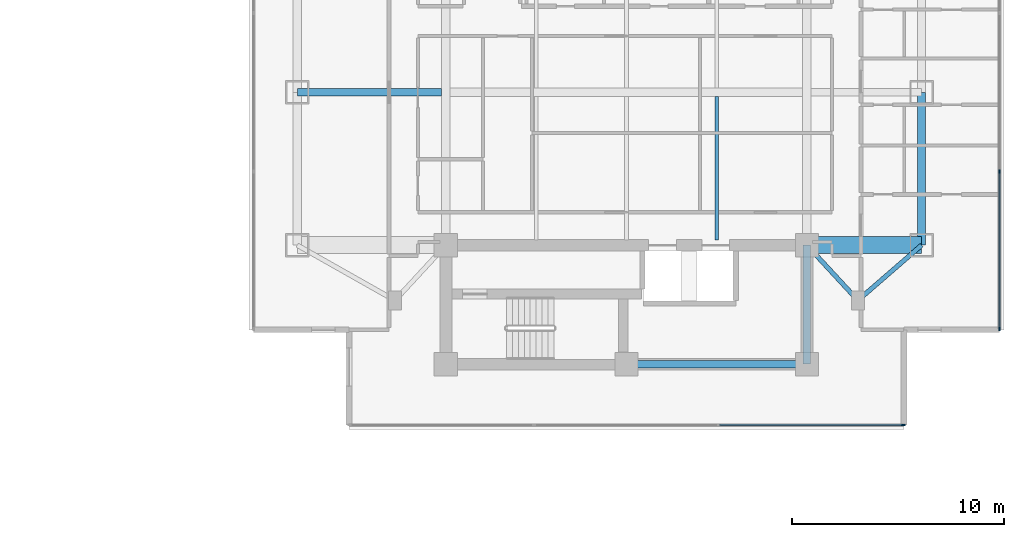
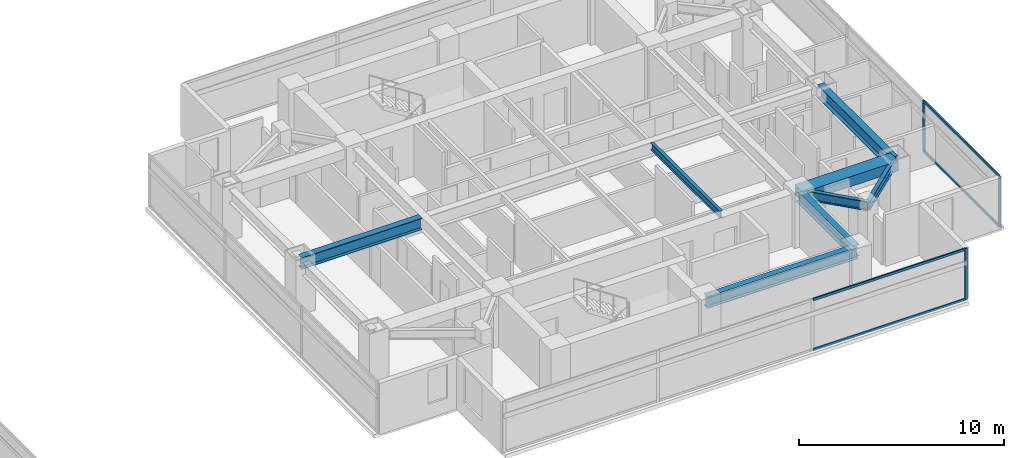
# One storey, part 10 of 26: 8 beams, 7 members, 2 elements without a shape of their own.
"""IFC4 building model written with IfcOpenShell, lengths in metres."""

from ifc_helpers import new_model, si_unit, direction, frame, origin, origin_2d, place, context, subcontext, project, spatial, rectangle, i_section, extrude, material, material_profile, profile_set, type_object, element, aggregate, save


model = new_model("IFC4")

# Units and contexts
model_context = context("Model", 3, precision=1e-05, world=origin(), true_north=direction((0.0, 1.0)))
body_context = subcontext(model_context, "Body", "Model", "MODEL_VIEW")
ifc_project = project(units=[si_unit("LENGTHUNIT", "METRE"), si_unit("AREAUNIT", "SQUARE_METRE"), si_unit("VOLUMEUNIT", "CUBIC_METRE"), si_unit("PLANEANGLEUNIT", "RADIAN"), si_unit("MASSUNIT", "GRAM", prefix="KILO")], contexts=[model_context])

# Site, building, storey
site_placement = place(None, origin())
site = spatial("IfcSite", under=ifc_project, at=site_placement, CompositionType="ELEMENT")
building_placement = place(site_placement, origin())
building = spatial("IfcBuilding", under=site, at=building_placement, Name="Mirazonda Arch Towers", CompositionType="ELEMENT")
storey_placement = place(building_placement, frame((0.0, 0.0, 128.0)))
storey = spatial("IfcBuildingStorey", under=building, at=storey_placement, Name="L36", CompositionType="ELEMENT", Elevation=128.0)

# Beams
ifc_material_1 = material(Name="Steel ASTM A992 Grade 50", Category="steel")
ifc_material_profile_1 = material_profile(ifc_material_1, i_section(OverallWidth=0.381103515625, OverallDepth=0.77294921875, WebThickness=0.0166015625, FlangeThickness=0.027099609375, at=origin_2d()), Name="W30X173")
ifc_profile_set_1 = profile_set([ifc_material_profile_1], Name="Steel ASTM A992 Grade 50")
beam_type_1 = type_object("IfcBeamType", Name="BM-EXT-W30X173", PredefinedType="USERDEFINED", material=ifc_profile_set_1)
beam_1_placement = place(storey_placement, frame((90.39990234375, 20.800048828125, 2.693603515625), z_axis=(0.0, 1.0, 0.0), x_axis=(-1.0, 0.0, 0.0)))
element("IfcBeam", 1, at=beam_1_placement, inside=storey, type_object=beam_type_1, Name="L36 Floor Beam BM-T2-L36-NS-E-20", ObjectType="GIRDER", PredefinedType="USERDEFINED", context=body_context, shape_type="SweptSolid", body=[
    extrude(i_section(OverallWidth=0.381103515625, OverallDepth=0.77294921875, WebThickness=0.0166015625, FlangeThickness=0.027099609375, at=origin_2d()), origin(), (0.0, 0.0, 1.0), 7.199951171875),
])
ifc_material_profile_2 = material_profile(ifc_material_1, i_section(OverallWidth=0.180908203125, OverallDepth=0.4169921875, WebThickness=0.010986328125, FlangeThickness=0.018310546875, at=origin_2d()), Name="W16X57")
ifc_profile_set_2 = profile_set([ifc_material_profile_2], Name="Steel ASTM A992 Grade 50")
beam_type_2 = type_object("IfcBeamType", Name="BM-INT-W16X57", PredefinedType="JOIST", material=ifc_profile_set_2)
beam_2_placement = place(storey_placement, frame((80.75, 21.0400390625, 2.87158203125), z_axis=(0.0, 1.0, 0.0), x_axis=(-1.0, 0.0, 0.0)))
element("IfcBeam", 2, at=beam_2_placement, inside=storey, type_object=beam_type_2, Name="L36 Floor Beam BM-T2-L36-J-807-20", PredefinedType="JOIST", context=body_context, shape_type="SweptSolid", body=[
    extrude(i_section(OverallWidth=0.180908203125, OverallDepth=0.4169921875, WebThickness=0.010986328125, FlangeThickness=0.018310546875, at=origin_2d()), origin(), (0.0, 0.0, 1.0), 6.763916015625),
])
ifc_material_profile_3 = material_profile(ifc_material_1, i_section(OverallWidth=0.214111328125, OverallDepth=0.549072265625, WebThickness=0.0146484375, FlangeThickness=0.023681640625, at=origin_2d()), Name="W21X93")
ifc_profile_set_3 = profile_set([ifc_material_profile_3], Name="Steel ASTM A992 Grade 50")
beam_type_3 = type_object("IfcBeamType", Name="BM-INT-W21X93", PredefinedType="BEAM", material=ifc_profile_set_3)
beam_3_placement = place(storey_placement, frame((87.39990234375, 18.199951171875, 2.805419921875), z_axis=(-0.678251444854, 0.734829897019, 0.0), x_axis=(-0.734829897019, -0.678251444854, 0.0)))
element("IfcBeam", 3, at=beam_3_placement, inside=storey, type_object=beam_type_3, Name="L36 Floor Beam BM-T2-L36-PL-SE1", PredefinedType="BEAM", context=body_context, shape_type="SweptSolid", body=[
    extrude(i_section(OverallWidth=0.214111328125, OverallDepth=0.549072265625, WebThickness=0.0146484375, FlangeThickness=0.023681640625, at=origin_2d()), origin(), (0.0, 0.0, 1.0), 3.538330078125),
])
beam_4_placement = place(storey_placement, frame((87.39990234375, 18.199951171875, 2.805419921875), z_axis=(0.755676908098, 0.654944585876, 0.0), x_axis=(-0.654944585876, 0.755676908098, 0.0)))
element("IfcBeam", 4, at=beam_4_placement, inside=storey, type_object=beam_type_3, Name="L36 Floor Beam BM-T2-L36-PL-SE2", PredefinedType="BEAM", context=body_context, shape_type="SweptSolid", body=[
    extrude(i_section(OverallWidth=0.214111328125, OverallDepth=0.549072265625, WebThickness=0.0146484375, FlangeThickness=0.023681640625, at=origin_2d()), origin(), (0.0, 0.0, 1.0), 3.969970703125),
])
ifc_material_profile_4 = material_profile(ifc_material_1, i_section(OverallWidth=0.35498046875, OverallDepth=0.696044921875, WebThickness=0.015380859375, FlangeThickness=0.02490234375, at=origin_2d()), Name="W27X146")
ifc_profile_set_4 = profile_set([ifc_material_profile_4], Name="Steel ASTM A992 Grade 50")
beam_type_4 = type_object("IfcBeamType", Name="BM-INT-W27X146", PredefinedType="BEAM", material=ifc_profile_set_4)
beam_5_placement = place(storey_placement, frame((76.5, 15.199951171875, 2.73193359375), z_axis=(1.0, 0.0, 0.0), x_axis=(0.0, 1.0, 0.0)))
element("IfcBeam", 5, at=beam_5_placement, inside=storey, type_object=beam_type_4, Name="L36 Floor Beam BM-T2-L36-CS2", PredefinedType="BEAM", context=body_context, shape_type="SweptSolid", body=[
    extrude(i_section(OverallWidth=0.35498046875, OverallDepth=0.696044921875, WebThickness=0.015380859375, FlangeThickness=0.02490234375, at=origin_2d()), origin(), (0.0, 0.0, 1.0), 8.5),
])
beam_6_placement = place(storey_placement, frame((85.0, 15.199951171875, 2.73193359375), z_axis=(0.0, 1.0, 0.0), x_axis=(-1.0, 0.0, 0.0)))
element("IfcBeam", 6, at=beam_6_placement, inside=storey, type_object=beam_type_4, Name="L36 Floor Beam BM-T2-L36-CSE", PredefinedType="BEAM", context=body_context, shape_type="SweptSolid", body=[
    extrude(i_section(OverallWidth=0.35498046875, OverallDepth=0.696044921875, WebThickness=0.015380859375, FlangeThickness=0.02490234375, at=origin_2d()), origin(), (0.0, 0.0, 1.0), 5.60009765625),
])
beam_7_placement = place(storey_placement, frame((61.0, 28.0, 2.73193359375), z_axis=(1.0, 0.0, 0.0), x_axis=(0.0, 1.0, 0.0)))
element("IfcBeam", 7, at=beam_7_placement, inside=storey, type_object=beam_type_4, Name="L36 Floor Beam BM-T2-L36-GW2", PredefinedType="BEAM", context=body_context, shape_type="SweptSolid", body=[
    extrude(i_section(OverallWidth=0.35498046875, OverallDepth=0.696044921875, WebThickness=0.015380859375, FlangeThickness=0.02490234375, at=origin_2d()), origin(), (0.0, 0.0, 1.0), 6.800048828125),
])
ifc_material_2 = material(Name="Concrete C60/75", Category="concrete")
ifc_material_profile_5 = material_profile(ifc_material_2, rectangle(XDim=0.800048828125, YDim=0.60009765625, at=origin_2d()), Name="RCCB800x600")
ifc_profile_set_5 = profile_set([ifc_material_profile_5], Name="Concrete C60/75")
beam_type_5 = type_object("IfcBeamType", Name="CB-INT-RCCB800x600", PredefinedType="SPANDREL", material=ifc_profile_set_5)
beam_8_placement = place(storey_placement, frame((85.0, 20.800048828125, 2.780029296875), z_axis=(1.0, 0.0, 0.0), x_axis=(0.0, 1.0, 0.0)))
element("IfcBeam", 8, at=beam_8_placement, inside=storey, type_object=beam_type_5, Name="L36 Floor Beam CBC-T2-L36-SE", PredefinedType="SPANDREL", context=body_context, shape_type="SweptSolid", body=[
    extrude(rectangle(XDim=0.800048828125, YDim=0.60009765625, at=origin_2d()), origin(), (0.0, 0.0, 1.0), 5.39990234375),
])

# Curtain wall, member
ifc_material_3 = material(Name="Anodised Aluminium and Low-E Glass", Category="aluminium")
curtain_wall_type = type_object("IfcCurtainWallType", Name="CW-HTL-UNIT", PredefinedType="NOTDEFINED", material=ifc_material_3)
curtain_wall_1_placement = place(storey_placement, origin())
curtain_wall_1 = element("IfcCurtainWall", 9, at=curtain_wall_1_placement, inside=storey, type_object=curtain_wall_type, Name="L36 T2 S Facade CW-L36-T2-S", PredefinedType="NOTDEFINED")
ifc_material_4 = material(Name="Anodised Aluminium Alloy", Category="aluminium")
ifc_material_profile_6 = material_profile(ifc_material_4, rectangle(XDim=0.074951171875, YDim=0.1650390625, at=origin_2d()), Name="ALU-MULL-75x165")
ifc_profile_set_6 = profile_set([ifc_material_profile_6], Name="Anodised Aluminium Alloy")
member_type_1 = type_object("IfcMemberType", Name="MULL-CW-HTL-UNIT", PredefinedType="MULLION", material=ifc_profile_set_6)
member_1_placement = place(storey_placement, frame((89.534912109375, 12.3310546875, 0.0), z_axis=(0.0, 0.0, 1.0), x_axis=(0.0, -1.0, 0.0)))
member_1 = element("IfcMember", 10, at=member_1_placement, type_object=member_type_1, Name="CW-112 mullion 1", PredefinedType="MULLION", context=body_context, shape_type="SweptSolid", body=[
    extrude(rectangle(XDim=0.074951171875, YDim=0.1650390625, at=origin_2d()), origin(), (0.0, 0.0, 1.0), 3.06005859375),
])

# Curtain wall, members
curtain_wall_2_placement = place(storey_placement, origin())
curtain_wall_2 = element("IfcCurtainWall", 11, at=curtain_wall_2_placement, inside=storey, type_object=curtain_wall_type, Name="L36 T2 E Facade CW-L36-T2-E", PredefinedType="NOTDEFINED")
member_2_placement = place(storey_placement, frame((94.05908203125, 16.85498046875, 0.0), z_axis=(0.0, 0.0, 1.0), x_axis=(-1.0, 0.0, 0.0)))
member_2 = element("IfcMember", 12, at=member_2_placement, type_object=member_type_1, Name="CW-112 mullion 1", PredefinedType="MULLION", context=body_context, shape_type="SweptSolid", body=[
    extrude(rectangle(XDim=0.074951171875, YDim=0.1650390625, at=origin_2d()), origin(), (0.0, 0.0, 1.0), 3.06005859375),
])
member_3_placement = place(storey_placement, frame((94.05908203125, 24.2724609375, 0.0), z_axis=(0.0, 0.0, 1.0), x_axis=(-1.0, 0.0, 0.0)))
member_3 = element("IfcMember", 13, at=member_3_placement, type_object=member_type_1, Name="CW-112 mullion 2", PredefinedType="MULLION", context=body_context, shape_type="SweptSolid", body=[
    extrude(rectangle(XDim=0.074951171875, YDim=0.1650390625, at=origin_2d()), origin(), (0.0, 0.0, 1.0), 3.06005859375),
])

# Member
ifc_material_profile_7 = material_profile(ifc_material_4, rectangle(XDim=0.074951171875, YDim=0.14501953125, at=origin_2d()), Name="ALU-TRAN-75x145")
ifc_profile_set_7 = profile_set([ifc_material_profile_7], Name="Anodised Aluminium Alloy")
member_type_2 = type_object("IfcMemberType", Name="TRAN-CW-HTL-UNIT", PredefinedType="USERDEFINED", material=ifc_profile_set_7)
member_4_placement = place(storey_placement, frame((89.49755859375, 12.3310546875, 0.03759765625), z_axis=(-1.0, 0.0, 0.0), x_axis=(0.0, -1.0, 0.0)))
member_4 = element("IfcMember", 14, at=member_4_placement, type_object=member_type_2, Name="CW-112 transom 1.1", ObjectType="TRANSOM", PredefinedType="USERDEFINED", context=body_context, shape_type="SweptSolid", body=[
    extrude(rectangle(XDim=0.074951171875, YDim=0.14501953125, at=origin_2d()), origin(), (0.0, 0.0, 1.0), 8.6025390625),
])

member_5_placement = place(storey_placement, frame((89.49755859375, 12.3310546875, 3.0224609375), z_axis=(-1.0, 0.0, 0.0), x_axis=(0.0, -1.0, 0.0)))
member_5 = element("IfcMember", 15, at=member_5_placement, type_object=member_type_2, Name="CW-112 transom 1.2", ObjectType="TRANSOM", PredefinedType="USERDEFINED", context=body_context, shape_type="SweptSolid", body=[
    extrude(rectangle(XDim=0.074951171875, YDim=0.14501953125, at=origin_2d()), origin(), (0.0, 0.0, 1.0), 8.6025390625),
])

aggregate(curtain_wall_1, [member_1, member_4, member_5])

member_6_placement = place(storey_placement, frame((94.05908203125, 16.892578125, 0.03759765625), z_axis=(0.0, 1.0, 0.0), x_axis=(-1.0, 0.0, 0.0)))
member_6 = element("IfcMember", 16, at=member_6_placement, type_object=member_type_2, Name="CW-112 transom 1.1", ObjectType="TRANSOM", PredefinedType="USERDEFINED", context=body_context, shape_type="SweptSolid", body=[
    extrude(rectangle(XDim=0.074951171875, YDim=0.14501953125, at=origin_2d()), origin(), (0.0, 0.0, 1.0), 7.342529296875),
])

member_7_placement = place(storey_placement, frame((94.05908203125, 16.892578125, 3.0224609375), z_axis=(0.0, 1.0, 0.0), x_axis=(-1.0, 0.0, 0.0)))
member_7 = element("IfcMember", 17, at=member_7_placement, type_object=member_type_2, Name="CW-112 transom 1.2", ObjectType="TRANSOM", PredefinedType="USERDEFINED", context=body_context, shape_type="SweptSolid", body=[
    extrude(rectangle(XDim=0.074951171875, YDim=0.14501953125, at=origin_2d()), origin(), (0.0, 0.0, 1.0), 7.342529296875),
])

aggregate(curtain_wall_2, [member_2, member_3, member_6, member_7])

save(model, "model.ifc")
